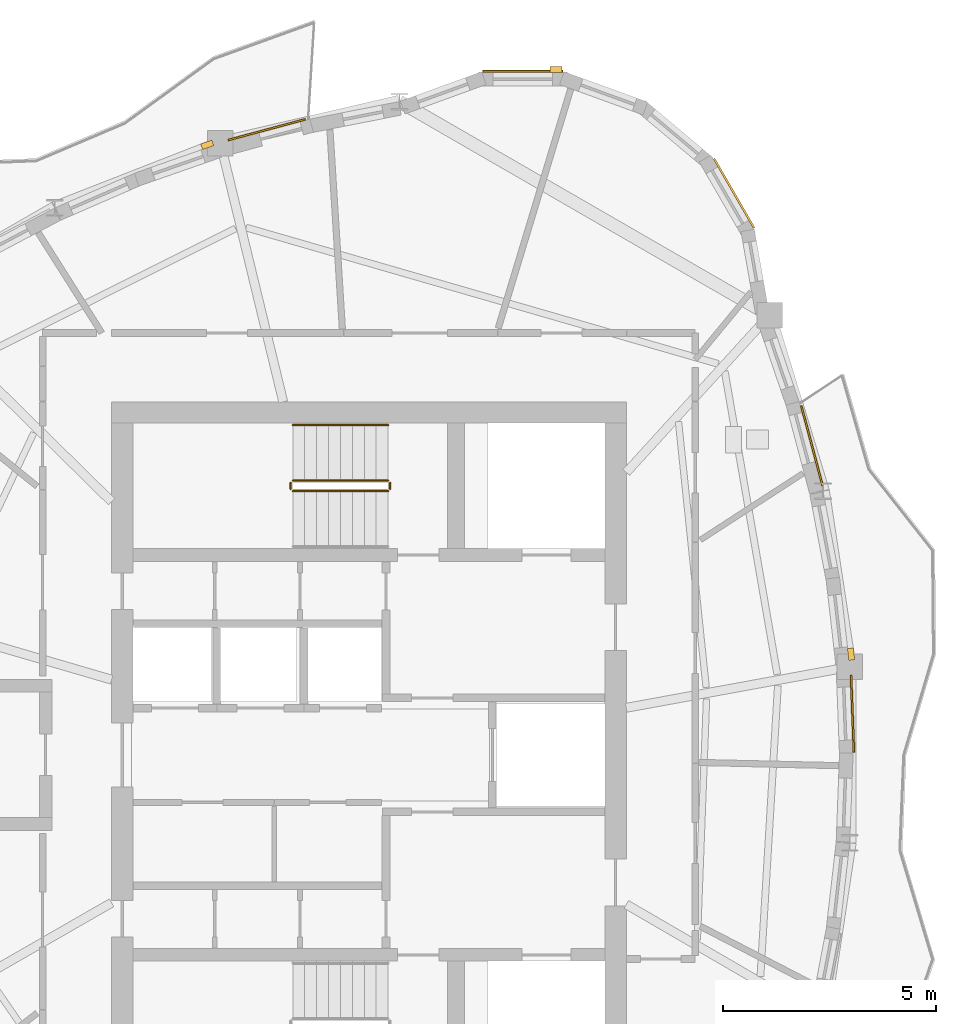
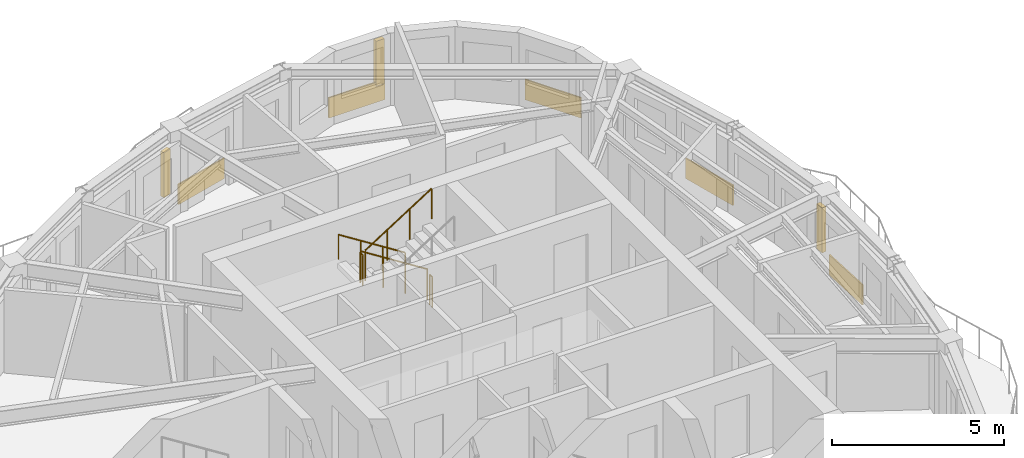
# One storey, part 10 of 11: 5 coverings, 5 railings, 3 shading devices.
"""IFC4 building model written with IfcOpenShell, lengths in metres."""

from ifc_helpers import new_model, si_unit, direction, frame, origin, origin_2d, place, context, subcontext, project, spatial, rectangle, circle, extrude, source, transform, mapped, material, layer, layer_set, type_object, element, save


model = new_model("IFC4")

# Units and contexts
model_context = context("Model", 3, precision=1e-05, world=origin(), true_north=direction((0.0, 1.0)))
body_context = subcontext(model_context, "Body", "Model", "MODEL_VIEW")
ifc_project = project(units=[si_unit("LENGTHUNIT", "METRE"), si_unit("AREAUNIT", "SQUARE_METRE"), si_unit("VOLUMEUNIT", "CUBIC_METRE"), si_unit("PLANEANGLEUNIT", "RADIAN"), si_unit("MASSUNIT", "GRAM", prefix="KILO")], contexts=[model_context])

# Site, building, storey
site_placement = place(None, origin())
site = spatial("IfcSite", under=ifc_project, at=site_placement, CompositionType="ELEMENT")
building_placement = place(site_placement, origin())
building = spatial("IfcBuilding", under=site, at=building_placement, Name="Qafzar Sky-Pleat Residences", CompositionType="ELEMENT")
storey_placement = place(building_placement, frame((0.0, 0.0, 243.60009765625)))
storey = spatial("IfcBuildingStorey", under=building, at=storey_placement, Name="L73", CompositionType="ELEMENT", Elevation=243.60009765625)

# Shading devices
ifc_material_1 = material(Name="Honed Riyadh limestone solar fin", Category="masonry")
ifc_layer_1 = layer(ifc_material_1, 0.139892578125)
ifc_layer_set_1 = layer_set([ifc_layer_1], Name="Honed Riyadh limestone solar fin")
shading_device_type = type_object("IfcShadingDeviceType", Name="SHD-FIN-STONE", PredefinedType="SHUTTER", material=ifc_layer_set_1)
shared_shape_1 = source(origin(), body_context, "Body", "SweptSolid", [
    extrude(rectangle(XDim=0.139892578125, YDim=0.280029296875, at=origin_2d()), origin(), (0.0, 0.0, 1.0), 1.60009765625),
])
for number, where, z_axis, x_axis, name in (
    (1, (41.68408203125, 28.366943359375, 0.599853515625), (0.0, 0.0, 1.0), (0.99356253732, 0.113284970031, 0.0), "L73 Limestone Solar Fin 29"),
    (2, (34.74755859375, 42.11279296875, 0.599853515625), (0.0, 0.0, 1.0), (0.0, 1.0, 0.0), "L73 Limestone Solar Fin 37"),
    (3, (26.548095703125, 40.3408203125, 0.599853515625), (0.0, 0.0, 1.0), (-0.329526843357, 0.944146206637, 0.0), "L73 Limestone Solar Fin 41"),
):
    element("IfcShadingDevice", number, at=place(storey_placement, frame(where, z_axis=z_axis, x_axis=x_axis)), inside=storey, type_object=shading_device_type, Name=name, PredefinedType="SHUTTER", context=body_context, shape_type="MappedRepresentation", body=[
        mapped(shared_shape_1, transform((0.0, 0.0, 0.0), x_axis=(1.0, 0.0, 0.0), y_axis=(0.0, 1.0, 0.0), z_axis=(0.0, 0.0, 1.0), scale=1.0)),
    ])

# Coverings
ifc_material_2 = material(Name="Honed Riyadh Tuwaiq limestone cladding", Category="masonry")
ifc_layer_2 = layer(ifc_material_2, 0.044921875)
ifc_layer_set_2 = layer_set([ifc_layer_2], Name="Honed Riyadh Tuwaiq limestone cladding")
covering_type = type_object("IfcCoveringType", Name="COV-CLAD-STONE", PredefinedType="CLADDING", material=ifc_layer_set_2)
shared_shape_2 = source(origin(), body_context, "Body", "SweptSolid", [
    extrude(rectangle(XDim=1.88134765625, YDim=0.044921875, at=origin_2d()), origin(), (0.0, 0.0, 1.0), 0.719970703125),
])
for number, where, z_axis, x_axis, name in (
    (4, (38.93310546875, 39.202880859375, 0.02001953125), (0.0, 0.0, 1.0), (-0.499972303345, 0.866041393865, 0.0), "L73 Riyadh Limestone Spandrel Cladding 34"),
    (5, (33.967529296875, 42.06982421875, 0.02001953125), (0.0, 0.0, 1.0), (-1.0, 0.0, 0.0), "L73 Riyadh Limestone Spandrel Cladding 37"),
):
    element("IfcCovering", number, at=place(storey_placement, frame(where, z_axis=z_axis, x_axis=x_axis)), inside=storey, type_object=covering_type, Name=name, PredefinedType="CLADDING", context=body_context, shape_type="MappedRepresentation", body=[
        mapped(shared_shape_2, transform((0.0, 0.0, 0.0), x_axis=(1.0, 0.0, 0.0), y_axis=(0.0, 1.0, 0.0), z_axis=(0.0, 0.0, 1.0), scale=1.0)),
    ])
shared_shape_3 = source(origin(), body_context, "Body", "SweptSolid", [
    extrude(rectangle(XDim=1.81494140625, YDim=0.044921875, at=origin_2d()), origin(), (0.0, 0.0, 1.0), 0.719970703125),
])
covering_1_placement = place(storey_placement, frame((41.716552734375, 26.970458984375, 0.02001953125), z_axis=(0.0, 0.0, 1.0), x_axis=(-0.037983685152, 0.999278359449, 0.0)))
element("IfcCovering", 6, at=covering_1_placement, inside=storey, type_object=covering_type, Name="L73 Riyadh Limestone Spandrel Cladding 28", PredefinedType="CLADDING", context=body_context, shape_type="MappedRepresentation", body=[
    mapped(shared_shape_3, transform((0.0, 0.0, 0.0), x_axis=(1.0, 0.0, 0.0), y_axis=(0.0, 1.0, 0.0), z_axis=(0.0, 0.0, 1.0), scale=1.0)),
])
shared_shape_4 = source(origin(), body_context, "Body", "SweptSolid", [
    extrude(rectangle(XDim=1.94140625, YDim=0.044921875, at=origin_2d()), origin(), (0.0, 0.0, 1.0), 0.719970703125),
])
covering_2_placement = place(storey_placement, frame((40.76318359375, 33.268798828125, 0.02001953125), z_axis=(0.0, 0.0, 1.0), x_axis=(-0.257059551248, 0.966395564514, 0.0)))
element("IfcCovering", 7, at=covering_2_placement, inside=storey, type_object=covering_type, Name="L73 Riyadh Limestone Spandrel Cladding 31", PredefinedType="CLADDING", context=body_context, shape_type="MappedRepresentation", body=[
    mapped(shared_shape_4, transform((0.0, 0.0, 0.0), x_axis=(1.0, 0.0, 0.0), y_axis=(0.0, 1.0, 0.0), z_axis=(0.0, 0.0, 1.0), scale=1.0)),
])
shared_shape_5 = source(origin(), body_context, "Body", "SweptSolid", [
    extrude(rectangle(XDim=1.87841796875, YDim=0.044921875, at=origin_2d()), origin(), (0.0, 0.0, 1.0), 0.719970703125),
])
covering_3_placement = place(storey_placement, frame((27.947265625, 40.69677734375, 0.02001953125), z_axis=(0.0, 0.0, 1.0), x_axis=(-0.965459220277, -0.260554205458, 0.0)))
element("IfcCovering", 8, at=covering_3_placement, inside=storey, type_object=covering_type, Name="L73 Riyadh Limestone Spandrel Cladding 40", PredefinedType="CLADDING", context=body_context, shape_type="MappedRepresentation", body=[
    mapped(shared_shape_5, transform((0.0, 0.0, 0.0), x_axis=(1.0, 0.0, 0.0), y_axis=(0.0, 1.0, 0.0), z_axis=(0.0, 0.0, 1.0), scale=1.0)),
])

# Railings
ifc_material_3 = material(Name="Painted Steel S355 stair guardrail", Category="steel")
railing_type_1 = type_object("IfcRailingType", Name="RAIL-STAIR-GUARD", PredefinedType="GUARDRAIL", material=ifc_material_3)
shared_shape_6 = source(origin(), body_context, "Body", "SweptSolid", [
    extrude(circle(Radius=0.02392578125, at=origin_2d()), frame((0.0, 0.0, 1.076171875), z_axis=(0.0, -1.0, 0.0), x_axis=(1.0, 0.0, 0.0)), (0.0, 0.0, 1.0), 0.14990234375),
    extrude(circle(Radius=0.02099609375, at=origin_2d()), origin(), (0.0, 0.0, 1.0), 1.052001953125),
    extrude(circle(Radius=0.02099609375, at=origin_2d()), frame((0.0, -0.14990234375, 0.0)), (0.0, 0.0, 1.0), 1.052001953125),
])
for number, where, name in (
    (9, (28.510009765625, 32.39990234375, 1.599853515625), "L73 ST2 stair guard 2"),
    (10, (30.85009765625, 32.39990234375, 0.0), "L73 ST2 stair guard 4"),
):
    element("IfcRailing", number, at=place(storey_placement, frame(where)), inside=storey, type_object=railing_type_1, Name=name, PredefinedType="GUARDRAIL", context=body_context, shape_type="MappedRepresentation", body=[
        mapped(shared_shape_6, transform((0.0, 0.0, 0.0), x_axis=(1.0, 0.0, 0.0), y_axis=(0.0, 1.0, 0.0), z_axis=(0.0, 0.0, 1.0), scale=1.0)),
    ])
shared_shape_7 = source(origin(), body_context, "Body", "SweptSolid", [
    extrude(circle(Radius=0.02392578125, at=origin_2d()), frame((0.0, 0.0, 1.076171875), z_axis=(-0.8442293374, 0.0, 0.53598211339), x_axis=(0.0, -1.0, 0.0)), (0.0, 0.0, 1.0), 2.6533203125),
    extrude(circle(Radius=0.02099609375, at=origin_2d()), origin(), (0.0, 0.0, 1.0), 1.052001953125),
    extrude(circle(Radius=0.02099609375, at=origin_2d()), frame((-0.74658203125, 0.0, 0.47412109375)), (0.0, 0.0, 1.0), 1.052001953125),
    extrude(circle(Radius=0.02099609375, at=origin_2d()), frame((-1.493408203125, 0.0, 0.947998046875)), (0.0, 0.0, 1.0), 1.052001953125),
    extrude(circle(Radius=0.02099609375, at=origin_2d()), frame((-2.239990234375, 0.0, 1.422119140625)), (0.0, 0.0, 1.0), 1.052001953125),
])
railing_1_placement = place(storey_placement, frame((30.800048828125, 32.449951171875, 0.177734375)))
element("IfcRailing", 11, at=railing_1_placement, inside=storey, type_object=railing_type_1, Name="L73 ST2 stair guard 1", PredefinedType="GUARDRAIL", context=body_context, shape_type="MappedRepresentation", body=[
    mapped(shared_shape_7, transform((0.0, 0.0, 0.0), x_axis=(1.0, 0.0, 0.0), y_axis=(0.0, 1.0, 0.0), z_axis=(0.0, 0.0, 1.0), scale=1.0)),
])
ifc_material_4 = material(Name="Brushed stainless steel handrail", Category="steel")
railing_type_2 = type_object("IfcRailingType", Name="RAIL-STAIR-HAND", PredefinedType="HANDRAIL", material=ifc_material_4)
shared_shape_8 = source(origin(), body_context, "Body", "SweptSolid", [
    extrude(circle(Radius=0.02392578125, at=origin_2d()), frame((0.0, 0.0, 0.8759765625), z_axis=(-0.8442293374, 0.0, 0.53598211339), x_axis=(0.0, -1.0, 0.0)), (0.0, 0.0, 1.0), 2.6533203125),
    extrude(circle(Radius=0.02099609375, at=origin_2d()), origin(), (0.0, 0.0, 1.0), 0.851806640625),
    extrude(circle(Radius=0.02099609375, at=origin_2d()), frame((-0.74658203125, 0.0, 0.47412109375)), (0.0, 0.0, 1.0), 0.851806640625),
    extrude(circle(Radius=0.02099609375, at=origin_2d()), frame((-1.493408203125, 0.0, 0.947998046875)), (0.0, 0.0, 1.0), 0.851806640625),
    extrude(circle(Radius=0.02099609375, at=origin_2d()), frame((-2.239990234375, 0.0, 1.422119140625)), (0.0, 0.0, 1.0), 0.851806640625),
])
railing_2_placement = place(storey_placement, frame((30.800048828125, 33.75, 0.177734375)))
element("IfcRailing", 12, at=railing_2_placement, inside=storey, type_object=railing_type_2, Name="L73 ST2 stair handrail 1", PredefinedType="HANDRAIL", context=body_context, shape_type="MappedRepresentation", body=[
    mapped(shared_shape_8, transform((0.0, 0.0, 0.0), x_axis=(1.0, 0.0, 0.0), y_axis=(0.0, 1.0, 0.0), z_axis=(0.0, 0.0, 1.0), scale=1.0)),
])
shared_shape_9 = source(origin(), body_context, "Body", "SweptSolid", [
    extrude(circle(Radius=0.02392578125, at=origin_2d()), frame((0.0, 0.0, 1.076171875), z_axis=(0.84418770128, 0.0, 0.536047689118), x_axis=(0.0, 1.0, 0.0)), (0.0, 0.0, 1.0), 2.6533203125),
    extrude(circle(Radius=0.02099609375, at=origin_2d()), origin(), (0.0, 0.0, 1.0), 1.052001953125),
    extrude(circle(Radius=0.02099609375, at=origin_2d()), frame((0.74658203125, 0.0, 0.47412109375)), (0.0, 0.0, 1.0), 1.052001953125),
    extrude(circle(Radius=0.02099609375, at=origin_2d()), frame((1.493408203125, 0.0, 0.9482421875)), (0.0, 0.0, 1.0), 1.052001953125),
    extrude(circle(Radius=0.02099609375, at=origin_2d()), frame((2.239990234375, 0.0, 1.42236328125)), (0.0, 0.0, 1.0), 1.052001953125),
])
railing_3_placement = place(storey_placement, frame((28.56005859375, 32.199951171875, 1.777587890625)))
element("IfcRailing", 13, at=railing_3_placement, inside=storey, type_object=railing_type_1, Name="L73 ST2 stair guard 3", PredefinedType="GUARDRAIL", context=body_context, shape_type="MappedRepresentation", body=[
    mapped(shared_shape_9, transform((0.0, 0.0, 0.0), x_axis=(1.0, 0.0, 0.0), y_axis=(0.0, 1.0, 0.0), z_axis=(0.0, 0.0, 1.0), scale=1.0)),
])

save(model, "model.ifc")
